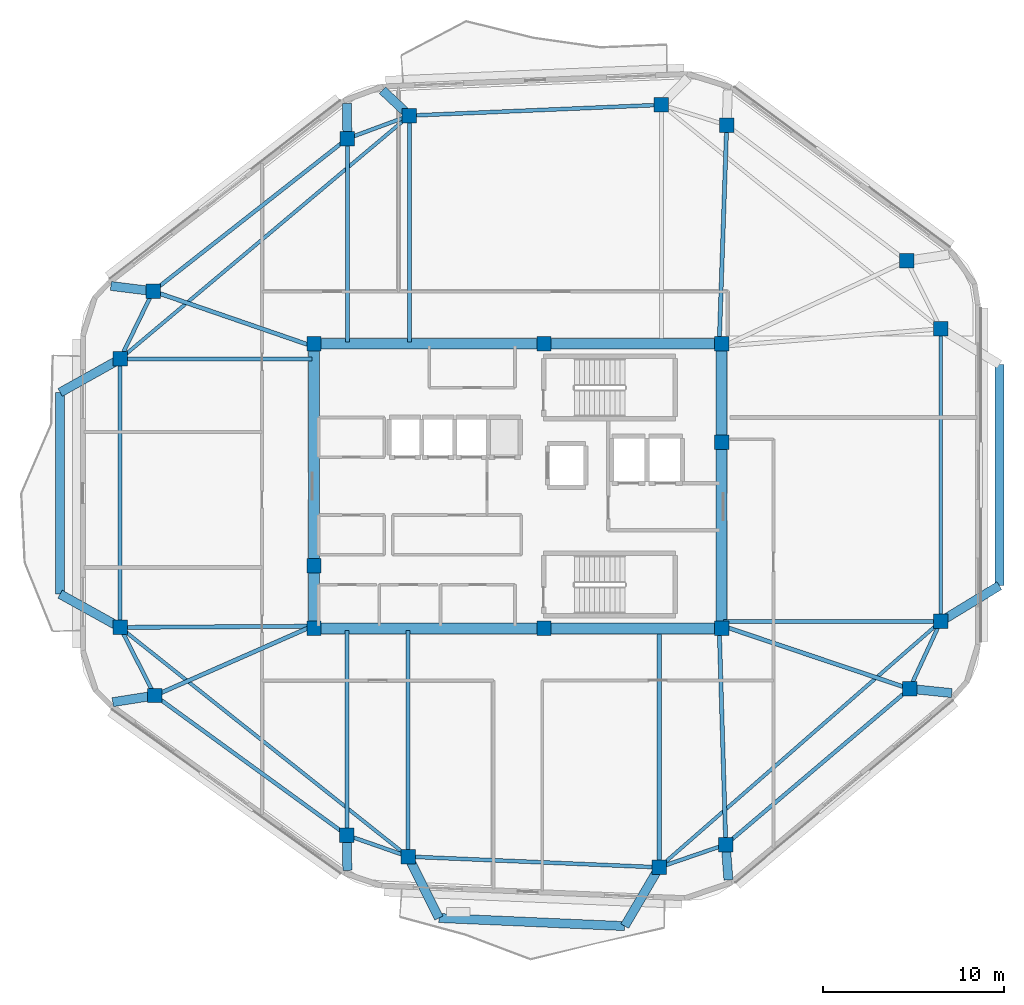
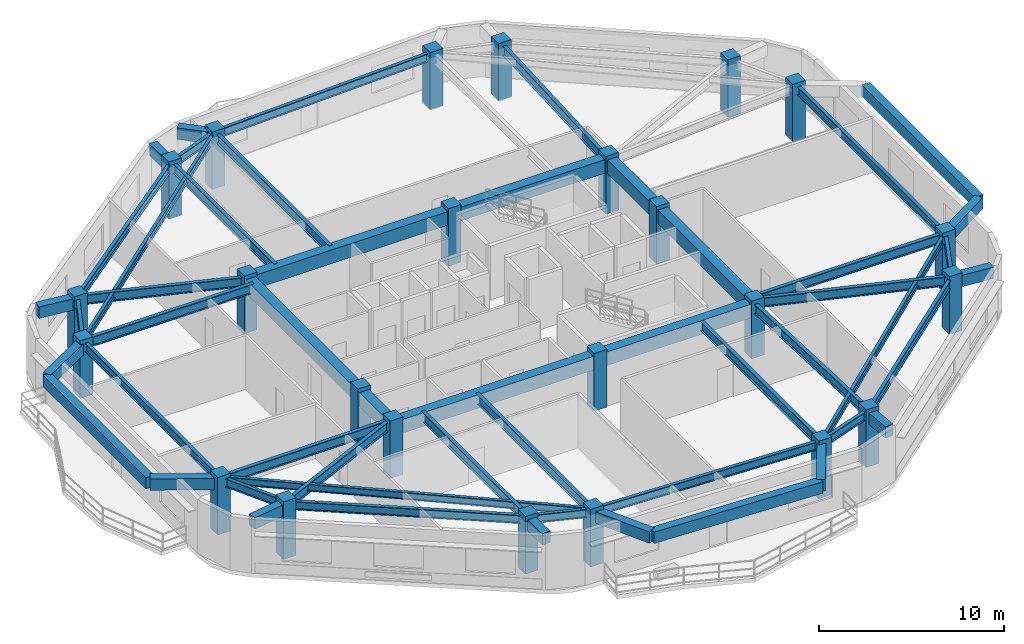
# One storey, part 1 of 10: 52 beams, 24 columns.
"""IFC4 building model written with IfcOpenShell, lengths in metres."""

from ifc_helpers import new_model, si_unit, direction, frame, origin, origin_2d, place, context, subcontext, project, spatial, rectangle, i_section, extrude, material, material_profile, profile_set, type_object, element, save


model = new_model("IFC4")

# Units and contexts
model_context = context("Model", 3, precision=1e-05, world=origin(), true_north=direction((0.0, 1.0)))
body_context = subcontext(model_context, "Body", "Model", "MODEL_VIEW")
ifc_project = project(units=[si_unit("LENGTHUNIT", "METRE"), si_unit("AREAUNIT", "SQUARE_METRE"), si_unit("VOLUMEUNIT", "CUBIC_METRE"), si_unit("PLANEANGLEUNIT", "RADIAN"), si_unit("MASSUNIT", "GRAM", prefix="KILO")], contexts=[model_context])

# Site, building, storey
site_placement = place(None, origin())
site = spatial("IfcSite", under=ifc_project, at=site_placement, CompositionType="ELEMENT")
building_placement = place(site_placement, origin())
building = spatial("IfcBuilding", under=site, at=building_placement, Name="Zulverin Broadcast Headquarters", CompositionType="ELEMENT")
storey_placement = place(building_placement, frame((0.0, 0.0, 282.0)))
storey = spatial("IfcBuildingStorey", under=building, at=storey_placement, Name="L72", CompositionType="ELEMENT", Elevation=282.0)

# Columns
ifc_material_1 = material(Name="Concrete C50/60", Category="concrete")
ifc_material_profile_1 = material_profile(ifc_material_1, rectangle(XDim=0.800048828125, YDim=0.800048828125, at=origin_2d()), Name="Concrete C50/60", Category="concrete")
ifc_profile_set_1 = profile_set([ifc_material_profile_1], Name="Concrete C50/60")
column_type_1 = type_object("IfcColumnType", Name="COL-RC-800", PredefinedType="COLUMN", material=ifc_profile_set_1)
for number, where, z_axis, x_axis, name in (
    (1, (30.93359375, 4.703125, 0.0), (0.0, 0.0, 1.0), (1.0, 0.0, 0.0), "L72 Perimeter Column T01"),
    (2, (44.826904296875, 4.1083984375, 0.0), (0.0, 0.0, 1.0), (1.0, 0.0, 0.0), "L72 Perimeter Column T02"),
    (3, (48.5078125, 5.3701171875, 0.0), (0.0, 0.0, 1.0), (1.0, 0.0, 0.0), "L72 Perimeter Column T03"),
    (4, (58.6748046875, 13.9892578125, 0.0), (0.0, 0.0, 1.0), (1.0, 0.0, 0.0), "L72 Perimeter Column T04"),
    (5, (60.39990234375, 17.713623046875, 0.0), (0.0, 0.0, 1.0), (1.0, 0.0, 0.0), "L72 Perimeter Column T05"),
    (6, (60.39990234375, 33.903076171875, 0.0), (0.0, 0.0, 1.0), (1.0, 0.0, 0.0), "L72 Perimeter Column T06"),
    (7, (58.52587890625, 37.661865234375, 0.0), (0.0, 0.0, 1.0), (1.0, 0.0, 0.0), "L72 Perimeter Column T07"),
    (8, (48.55908203125, 45.172607421875, 0.0), (0.0, 0.0, 1.0), (1.0, 0.0, 0.0), "L72 Perimeter Column T08"),
    (9, (44.944580078125, 46.296630859375, 0.0), (0.0, 0.0, 1.0), (1.0, 0.0, 0.0), "L72 Perimeter Column T09"),
    (10, (31.006591796875, 45.699951171875, 0.0), (0.0, 0.0, 1.0), (1.0, 0.0, 0.0), "L72 Perimeter Column T10"),
    (11, (27.573486328125, 44.4296875, 0.0), (0.0, 0.0, 1.0), (1.0, 0.0, 0.0), "L72 Perimeter Column T11"),
    (12, (16.82177734375, 35.98388671875, 0.0), (0.0, 0.0, 1.0), (1.0, 0.0, 0.0), "L72 Perimeter Column T12"),
    (13, (15.0, 32.236083984375, 0.0), (0.0, 0.0, 1.0), (1.0, 0.0, 0.0), "L72 Perimeter Column T13"),
    (14, (15.0, 17.383056640625, 0.0), (0.0, 0.0, 1.0), (1.0, 0.0, 0.0), "L72 Perimeter Column T14"),
    (15, (16.918212890625, 13.61572265625, 0.0), (0.0, 0.0, 1.0), (1.0, 0.0, 0.0), "L72 Perimeter Column T15"),
    (16, (27.54541015625, 5.8857421875, 0.0), (0.0, 0.0, 1.0), (1.0, 0.0, 0.0), "L72 Perimeter Column T16"),
):
    element("IfcColumn", number, at=place(storey_placement, frame(where, z_axis=z_axis, x_axis=x_axis)), inside=storey, type_object=column_type_1, Name=name, PredefinedType="COLUMN", context=body_context, shape_type="SweptSolid", body=[
        extrude(rectangle(XDim=0.800048828125, YDim=0.800048828125, at=origin_2d()), origin(), (0.0, 0.0, 1.0), 3.800048828125),
    ])
ifc_material_profile_2 = material_profile(ifc_material_1, rectangle(XDim=0.800048828125, YDim=0.800048828125, at=origin_2d()), Name="Concrete C50/60", Category="concrete")
ifc_profile_set_2 = profile_set([ifc_material_profile_2], Name="Concrete C50/60")
column_type_2 = type_object("IfcColumnType", Name="PIL-RC-800", PredefinedType="PILASTER", material=ifc_profile_set_2)
for number, where, z_axis, x_axis, name in (
    (17, (25.72509765625, 17.324951171875, 0.0), (0.0, 0.0, 1.0), (1.0, 0.0, 0.0), "L72 Core Pilaster K01"),
    (18, (38.449951171875, 17.324951171875, 0.0), (0.0, 0.0, 1.0), (1.0, 0.0, 0.0), "L72 Core Pilaster K02"),
    (19, (48.27490234375, 17.324951171875, 0.0), (0.0, 0.0, 1.0), (1.0, 0.0, 0.0), "L72 Core Pilaster K03"),
    (20, (48.27490234375, 27.6201171875, 0.0), (0.0, 0.0, 1.0), (1.0, 0.0, 0.0), "L72 Core Pilaster K04"),
    (21, (48.27490234375, 33.074951171875, 0.0), (0.0, 0.0, 1.0), (1.0, 0.0, 0.0), "L72 Core Pilaster K05"),
    (22, (38.449951171875, 33.074951171875, 0.0), (0.0, 0.0, 1.0), (1.0, 0.0, 0.0), "L72 Core Pilaster K06"),
    (23, (25.72509765625, 33.074951171875, 0.0), (0.0, 0.0, 1.0), (1.0, 0.0, 0.0), "L72 Core Pilaster K07"),
    (24, (25.72509765625, 20.800048828125, 0.0), (0.0, 0.0, 1.0), (1.0, 0.0, 0.0), "L72 Core Pilaster K08"),
):
    element("IfcColumn", number, at=place(storey_placement, frame(where, z_axis=z_axis, x_axis=x_axis)), inside=storey, type_object=column_type_2, Name=name, PredefinedType="PILASTER", context=body_context, shape_type="SweptSolid", body=[
        extrude(rectangle(XDim=0.800048828125, YDim=0.800048828125, at=origin_2d()), origin(), (0.0, 0.0, 1.0), 3.800048828125),
    ])

# Beams
ifc_material_2 = material(Name="Concrete C60/75", Category="concrete")
ifc_material_profile_3 = material_profile(ifc_material_2, rectangle(XDim=0.60009765625, YDim=0.89990234375, at=origin_2d()), Name="Concrete C60/75", Category="concrete")
ifc_profile_set_3 = profile_set([ifc_material_profile_3], Name="Concrete C60/75")
beam_type_1 = type_object("IfcBeamType", Name="BM-CB-600x900", PredefinedType="LINTEL", material=ifc_profile_set_3)
beam_1_placement = place(storey_placement, frame((25.72509765625, 17.324951171875, 3.090087890625), z_axis=(1.0, 0.0, 0.0), x_axis=(0.0, 1.0, 0.0)))
element("IfcBeam", 25, at=beam_1_placement, inside=storey, type_object=beam_type_1, Name="L72 Core Coupling Girder K01-K02", PredefinedType="LINTEL", context=body_context, shape_type="SweptSolid", body=[
    extrude(rectangle(XDim=0.60009765625, YDim=0.89990234375, at=origin_2d()), origin(), (0.0, 0.0, 1.0), 12.724853515625),
])
beam_2_placement = place(storey_placement, frame((38.449951171875, 17.324951171875, 3.090087890625), z_axis=(1.0, 0.0, 0.0), x_axis=(0.0, 1.0, 0.0)))
element("IfcBeam", 26, at=beam_2_placement, inside=storey, type_object=beam_type_1, Name="L72 Core Coupling Girder K02-K03", PredefinedType="LINTEL", context=body_context, shape_type="SweptSolid", body=[
    extrude(rectangle(XDim=0.60009765625, YDim=0.89990234375, at=origin_2d()), origin(), (0.0, 0.0, 1.0), 9.824951171875),
])
beam_3_placement = place(storey_placement, frame((48.27490234375, 17.324951171875, 3.090087890625), z_axis=(0.0, 1.0, 0.0), x_axis=(-1.0, 0.0, 0.0)))
element("IfcBeam", 27, at=beam_3_placement, inside=storey, type_object=beam_type_1, Name="L72 Core Coupling Girder K03-K04", PredefinedType="LINTEL", context=body_context, shape_type="SweptSolid", body=[
    extrude(rectangle(XDim=0.60009765625, YDim=0.89990234375, at=origin_2d()), origin(), (0.0, 0.0, 1.0), 10.295166015625),
])
beam_4_placement = place(storey_placement, frame((48.27490234375, 27.6201171875, 3.090087890625), z_axis=(0.0, 1.0, 0.0), x_axis=(-1.0, 0.0, 0.0)))
element("IfcBeam", 28, at=beam_4_placement, inside=storey, type_object=beam_type_1, Name="L72 Core Coupling Girder K04-K05", PredefinedType="LINTEL", context=body_context, shape_type="SweptSolid", body=[
    extrude(rectangle(XDim=0.60009765625, YDim=0.89990234375, at=origin_2d()), origin(), (0.0, 0.0, 1.0), 5.454833984375),
])
beam_5_placement = place(storey_placement, frame((48.27490234375, 33.074951171875, 3.090087890625), z_axis=(-1.0, 0.0, 0.0), x_axis=(0.0, -1.0, 0.0)))
element("IfcBeam", 29, at=beam_5_placement, inside=storey, type_object=beam_type_1, Name="L72 Core Coupling Girder K05-K06", PredefinedType="LINTEL", context=body_context, shape_type="SweptSolid", body=[
    extrude(rectangle(XDim=0.60009765625, YDim=0.89990234375, at=origin_2d()), origin(), (0.0, 0.0, 1.0), 9.824951171875),
])
beam_6_placement = place(storey_placement, frame((38.449951171875, 33.074951171875, 3.090087890625), z_axis=(-1.0, 0.0, 0.0), x_axis=(0.0, -1.0, 0.0)))
element("IfcBeam", 30, at=beam_6_placement, inside=storey, type_object=beam_type_1, Name="L72 Core Coupling Girder K06-K07", PredefinedType="LINTEL", context=body_context, shape_type="SweptSolid", body=[
    extrude(rectangle(XDim=0.60009765625, YDim=0.89990234375, at=origin_2d()), origin(), (0.0, 0.0, 1.0), 12.724853515625),
])
beam_7_placement = place(storey_placement, frame((25.72509765625, 33.074951171875, 3.090087890625), z_axis=(0.0, -1.0, 0.0), x_axis=(1.0, 0.0, 0.0)))
element("IfcBeam", 31, at=beam_7_placement, inside=storey, type_object=beam_type_1, Name="L72 Core Coupling Girder K07-K08", PredefinedType="LINTEL", context=body_context, shape_type="SweptSolid", body=[
    extrude(rectangle(XDim=0.60009765625, YDim=0.89990234375, at=origin_2d()), origin(), (0.0, 0.0, 1.0), 12.27490234375),
])
beam_8_placement = place(storey_placement, frame((25.72509765625, 20.800048828125, 3.090087890625), z_axis=(0.0, -1.0, 0.0), x_axis=(1.0, 0.0, 0.0)))
element("IfcBeam", 32, at=beam_8_placement, inside=storey, type_object=beam_type_1, Name="L72 Core Coupling Girder K08-K01", PredefinedType="LINTEL", context=body_context, shape_type="SweptSolid", body=[
    extrude(rectangle(XDim=0.60009765625, YDim=0.89990234375, at=origin_2d()), origin(), (0.0, 0.0, 1.0), 3.47509765625),
])
ifc_material_3 = material(Name="Concrete C40/50", Category="concrete")
ifc_material_profile_4 = material_profile(ifc_material_3, rectangle(XDim=0.5, YDim=0.75, at=origin_2d()), Name="Concrete C40/50", Category="concrete")
ifc_profile_set_4 = profile_set([ifc_material_profile_4], Name="Concrete C40/50")
beam_type_2 = type_object("IfcBeamType", Name="BM-RC-500x750", PredefinedType="BEAM", material=ifc_profile_set_4)
beam_9_placement = place(storey_placement, frame((48.5078125, 5.3701171875, 3.1650390625), z_axis=(0.074434680239, -0.997225891349, 0.0), x_axis=(0.997225891349, 0.074434680239, 0.0)))
element("IfcBeam", 33, at=beam_9_placement, inside=storey, type_object=beam_type_2, Name="L73 Plate Overhang Back-Spanned Beam OVR-03", PredefinedType="BEAM", context=body_context, shape_type="SweptSolid", body=[
    extrude(rectangle(XDim=0.5, YDim=0.75, at=origin_2d()), origin(), (0.0, 0.0, 1.0), 1.964599609375),
])
beam_10_placement = place(storey_placement, frame((58.6748046875, 13.9892578125, 3.1650390625), z_axis=(0.994775761489, -0.10208420227, 0.0), x_axis=(0.10208420227, 0.994775761489, 0.0)))
element("IfcBeam", 34, at=beam_10_placement, inside=storey, type_object=beam_type_2, Name="L73 Plate Overhang Back-Spanned Beam OVR-04", PredefinedType="BEAM", context=body_context, shape_type="SweptSolid", body=[
    extrude(rectangle(XDim=0.5, YDim=0.75, at=origin_2d()), origin(), (0.0, 0.0, 1.0), 2.350830078125),
])
beam_11_placement = place(storey_placement, frame((31.006591796875, 45.699951171875, 3.1650390625), z_axis=(-0.729406997905, 0.684079989041, 0.0), x_axis=(-0.684079989041, -0.729406997905, 0.0)))
element("IfcBeam", 35, at=beam_11_placement, inside=storey, type_object=beam_type_2, Name="L73 Plate Overhang Back-Spanned Beam OVR-10", PredefinedType="BEAM", context=body_context, shape_type="SweptSolid", body=[
    extrude(rectangle(XDim=0.5, YDim=0.75, at=origin_2d()), origin(), (0.0, 0.0, 1.0), 2.046875),
])
beam_12_placement = place(storey_placement, frame((27.573486328125, 44.4296875, 3.1650390625), z_axis=(-0.015261577794, 0.99988353534, 0.0), x_axis=(-0.99988353534, -0.015261577794, 0.0)))
element("IfcBeam", 36, at=beam_12_placement, inside=storey, type_object=beam_type_2, Name="L73 Plate Overhang Back-Spanned Beam OVR-11", PredefinedType="BEAM", context=body_context, shape_type="SweptSolid", body=[
    extrude(rectangle(XDim=0.5, YDim=0.75, at=origin_2d()), origin(), (0.0, 0.0, 1.0), 1.95166015625),
])
beam_13_placement = place(storey_placement, frame((16.82177734375, 35.98388671875, 3.1650390625), z_axis=(-0.992249101717, 0.124264718012, 0.0), x_axis=(-0.124264718012, -0.992249101717, 0.0)))
element("IfcBeam", 37, at=beam_13_placement, inside=storey, type_object=beam_type_2, Name="L73 Plate Overhang Back-Spanned Beam OVR-12", PredefinedType="BEAM", context=body_context, shape_type="SweptSolid", body=[
    extrude(rectangle(XDim=0.5, YDim=0.75, at=origin_2d()), origin(), (0.0, 0.0, 1.0), 2.351806640625),
])
beam_14_placement = place(storey_placement, frame((16.918212890625, 13.61572265625, 3.1650390625), z_axis=(-0.987723457787, -0.156212582521, 0.0), x_axis=(0.156212582521, -0.987723457787, 0.0)))
element("IfcBeam", 38, at=beam_14_placement, inside=storey, type_object=beam_type_2, Name="L73 Plate Overhang Back-Spanned Beam OVR-15", PredefinedType="BEAM", context=body_context, shape_type="SweptSolid", body=[
    extrude(rectangle(XDim=0.5, YDim=0.75, at=origin_2d()), origin(), (0.0, 0.0, 1.0), 2.35693359375),
])
beam_15_placement = place(storey_placement, frame((27.54541015625, 5.8857421875, 3.1650390625), z_axis=(0.012082189143, -0.999927007689, 0.0), x_axis=(0.999927007689, 0.012082189143, 0.0)))
element("IfcBeam", 39, at=beam_15_placement, inside=storey, type_object=beam_type_2, Name="L73 Plate Overhang Back-Spanned Beam OVR-16", PredefinedType="BEAM", context=body_context, shape_type="SweptSolid", body=[
    extrude(rectangle(XDim=0.5, YDim=0.75, at=origin_2d()), origin(), (0.0, 0.0, 1.0), 1.93994140625),
])
beam_16_placement = place(storey_placement, frame((60.39990234375, 17.713623046875, 3.1650390625), z_axis=(0.853361233194, 0.521320060694, 0.0), x_axis=(-0.521320060694, 0.853361233194, 0.0)))
element("IfcBeam", 40, at=beam_16_placement, inside=storey, type_object=beam_type_2, Name="L73 Balcony Column-Framed Cantilever BAL_E-1", PredefinedType="BEAM", context=body_context, shape_type="SweptSolid", body=[
    extrude(rectangle(XDim=0.5, YDim=0.75, at=origin_2d()), origin(), (0.0, 0.0, 1.0), 3.7998046875),
])
beam_17_placement = place(storey_placement, frame((63.642578125, 19.694580078125, 3.1650390625), z_axis=(0.000757802156, 0.999999712868, 0.0), x_axis=(-0.999999712868, 0.000757802156, 0.0)))
element("IfcBeam", 41, at=beam_17_placement, inside=storey, type_object=beam_type_2, Name="L73 Balcony Outer Edge Trimmer Beam BAL_E", PredefinedType="BEAM", context=body_context, shape_type="SweptSolid", body=[
    extrude(rectangle(XDim=0.5, YDim=0.75, at=origin_2d()), origin(), (0.0, 0.0, 1.0), 12.242431640625),
])
beam_18_placement = place(storey_placement, frame((30.93359375, 4.703125, 3.1650390625), z_axis=(0.448138545503, -0.893964117868, 0.0), x_axis=(0.893964117868, 0.448138545503, 0.0)))
element("IfcBeam", 42, at=beam_18_placement, inside=storey, type_object=beam_type_2, Name="L73 Balcony Column-Framed Cantilever BAL_S-1", PredefinedType="BEAM", context=body_context, shape_type="SweptSolid", body=[
    extrude(rectangle(XDim=0.5, YDim=0.75, at=origin_2d()), origin(), (0.0, 0.0, 1.0), 3.7998046875),
])
beam_19_placement = place(storey_placement, frame((44.826904296875, 4.1083984375, 3.1650390625), z_axis=(-0.506955055331, -0.861972489047, 0.0), x_axis=(0.861972489047, -0.506955055331, 0.0)))
element("IfcBeam", 43, at=beam_19_placement, inside=storey, type_object=beam_type_2, Name="L73 Balcony Column-Framed Cantilever BAL_S-2", PredefinedType="BEAM", context=body_context, shape_type="SweptSolid", body=[
    extrude(rectangle(XDim=0.5, YDim=0.75, at=origin_2d()), origin(), (0.0, 0.0, 1.0), 3.771240234375),
])
beam_20_placement = place(storey_placement, frame((32.636474609375, 1.30615234375, 3.1650390625), z_axis=(0.999049430425, -0.043591691496, 0.0), x_axis=(0.043591691496, 0.999049430425, 0.0)))
element("IfcBeam", 44, at=beam_20_placement, inside=storey, type_object=beam_type_2, Name="L73 Balcony Outer Edge Trimmer Beam BAL_S", PredefinedType="BEAM", context=body_context, shape_type="SweptSolid", body=[
    extrude(rectangle(XDim=0.5, YDim=0.75, at=origin_2d()), origin(), (0.0, 0.0, 1.0), 10.288330078125),
])
for number, where, z_axis, x_axis, name in (
    (45, (15.0, 32.236083984375, 3.1650390625), (-0.873048873834, -0.487632714137, 0.0), (0.487632714137, -0.873048873834, 0.0), "L73 Balcony Column-Framed Cantilever BAL_W-1"),
    (46, (15.0, 17.383056640625, 3.1650390625), (-0.874614506894, 0.484819001618, 0.0), (-0.484819001618, -0.874614506894, 0.0), "L73 Balcony Column-Framed Cantilever BAL_W-2"),
):
    element("IfcBeam", number, at=place(storey_placement, frame(where, z_axis=z_axis, x_axis=x_axis)), inside=storey, type_object=beam_type_2, Name=name, PredefinedType="BEAM", context=body_context, shape_type="SweptSolid", body=[
        extrude(rectangle(XDim=0.5, YDim=0.75, at=origin_2d()), origin(), (0.0, 0.0, 1.0), 3.800048828125),
    ])
beam_21_placement = place(storey_placement, frame((11.682373046875, 30.383056640625, 3.1650390625), z_axis=(-0.000525141059, -0.999999862113, 0.0), x_axis=(0.999999862113, -0.000525141059, 0.0)))
element("IfcBeam", 47, at=beam_21_placement, inside=storey, type_object=beam_type_2, Name="L73 Balcony Outer Edge Trimmer Beam BAL_W", PredefinedType="BEAM", context=body_context, shape_type="SweptSolid", body=[
    extrude(rectangle(XDim=0.5, YDim=0.75, at=origin_2d()), origin(), (0.0, 0.0, 1.0), 11.15771484375),
])
ifc_material_4 = material(Name="Structural steel S355JR", Category="steel")
ifc_material_profile_5 = material_profile(ifc_material_4, i_section(OverallWidth=0.19287109375, OverallDepth=0.46728515625, WebThickness=0.011474609375, FlangeThickness=0.01953125, at=origin_2d()), Name="Structural steel S355JR", Category="steel")
ifc_profile_set_5 = profile_set([ifc_material_profile_5], Name="Structural steel S355JR")
beam_type_3 = type_object("IfcBeamType", Name="BM-UB-457", PredefinedType="JOIST", material=ifc_profile_set_5)
beam_22_placement = place(storey_placement, frame((44.826904296875, 4.1083984375, 3.306396484375), z_axis=(0.753083303383, 0.657925176723, 0.0), x_axis=(-0.657925176723, 0.753083303383, 0.0)))
element("IfcBeam", 48, at=beam_22_placement, inside=storey, type_object=beam_type_3, Name="L72 Chordal Floor Joist J-01", PredefinedType="JOIST", context=body_context, shape_type="SweptSolid", body=[
    extrude(i_section(OverallWidth=0.19287109375, OverallDepth=0.46728515625, WebThickness=0.011474609375, FlangeThickness=0.01953125, at=origin_2d()), origin(), (0.0, 0.0, 1.0), 20.678955078125),
])
beam_23_placement = place(storey_placement, frame((31.006591796875, 45.699951171875, 3.306396484375), z_axis=(-0.765273089862, -0.643705754156, 0.0), x_axis=(0.643705754156, -0.765273089862, 0.0)))
element("IfcBeam", 49, at=beam_23_placement, inside=storey, type_object=beam_type_3, Name="L72 Chordal Floor Joist J-03", PredefinedType="JOIST", context=body_context, shape_type="SweptSolid", body=[
    extrude(i_section(OverallWidth=0.19287109375, OverallDepth=0.46728515625, WebThickness=0.011474609375, FlangeThickness=0.01953125, at=origin_2d()), origin(), (0.0, 0.0, 1.0), 20.916259765625),
])
beam_24_placement = place(storey_placement, frame((15.0, 17.383056640625, 3.306396484375), z_axis=(0.782469878912, -0.622688436214, 0.0), x_axis=(0.622688436214, 0.782469878912, 0.0)))
element("IfcBeam", 50, at=beam_24_placement, inside=storey, type_object=beam_type_3, Name="L72 Chordal Floor Joist J-04", PredefinedType="JOIST", context=body_context, shape_type="SweptSolid", body=[
    extrude(i_section(OverallWidth=0.19287109375, OverallDepth=0.46728515625, WebThickness=0.011474609375, FlangeThickness=0.01953125, at=origin_2d()), origin(), (0.0, 0.0, 1.0), 20.36328125),
])
ifc_material_profile_6 = material_profile(ifc_material_4, i_section(OverallWidth=0.2119140625, OverallDepth=0.54443359375, WebThickness=0.0126953125, FlangeThickness=0.021240234375, at=origin_2d()), Name="Structural steel S355JR", Category="steel")
ifc_profile_set_6 = profile_set([ifc_material_profile_6], Name="Structural steel S355JR")
beam_type_4 = type_object("IfcBeamType", Name="BM-UB-533", PredefinedType="SPANDREL", material=ifc_profile_set_6)
beam_25_placement = place(storey_placement, frame((30.93359375, 4.703125, 3.267822265625), z_axis=(0.999085051108, -0.042767518662, 0.0), x_axis=(0.042767518662, 0.999085051108, 0.0)))
element("IfcBeam", 51, at=beam_25_placement, inside=storey, type_object=beam_type_4, Name="L72 Perimeter Spandrel Beam SP-01", PredefinedType="SPANDREL", context=body_context, shape_type="SweptSolid", body=[
    extrude(i_section(OverallWidth=0.2119140625, OverallDepth=0.54443359375, WebThickness=0.0126953125, FlangeThickness=0.021240234375, at=origin_2d()), origin(), (0.0, 0.0, 1.0), 13.906005859375),
])
beam_26_placement = place(storey_placement, frame((44.826904296875, 4.1083984375, 3.267822265625), z_axis=(0.945970142065, 0.324253743728, 0.0), x_axis=(-0.324253743728, 0.945970142065, 0.0)))
element("IfcBeam", 52, at=beam_26_placement, inside=storey, type_object=beam_type_4, Name="L72 Perimeter Spandrel Beam SP-02", PredefinedType="SPANDREL", context=body_context, shape_type="SweptSolid", body=[
    extrude(i_section(OverallWidth=0.2119140625, OverallDepth=0.54443359375, WebThickness=0.0126953125, FlangeThickness=0.021240234375, at=origin_2d()), origin(), (0.0, 0.0, 1.0), 3.89111328125),
])
beam_27_placement = place(storey_placement, frame((48.5078125, 5.3701171875, 3.267822265625), z_axis=(0.762782889345, 0.646654671152, 0.0), x_axis=(-0.646654671152, 0.762782889345, 0.0)))
element("IfcBeam", 53, at=beam_27_placement, inside=storey, type_object=beam_type_4, Name="L72 Perimeter Spandrel Beam SP-03", PredefinedType="SPANDREL", context=body_context, shape_type="SweptSolid", body=[
    extrude(i_section(OverallWidth=0.2119140625, OverallDepth=0.54443359375, WebThickness=0.0126953125, FlangeThickness=0.021240234375, at=origin_2d()), origin(), (0.0, 0.0, 1.0), 13.328857421875),
])
beam_28_placement = place(storey_placement, frame((58.6748046875, 13.9892578125, 3.267822265625), z_axis=(0.420294999852, 0.907387520908, 0.0), x_axis=(-0.907387520908, 0.420294999852, 0.0)))
element("IfcBeam", 54, at=beam_28_placement, inside=storey, type_object=beam_type_4, Name="L72 Perimeter Spandrel Beam SP-04", PredefinedType="SPANDREL", context=body_context, shape_type="SweptSolid", body=[
    extrude(i_section(OverallWidth=0.2119140625, OverallDepth=0.54443359375, WebThickness=0.0126953125, FlangeThickness=0.021240234375, at=origin_2d()), origin(), (0.0, 0.0, 1.0), 4.1044921875),
])
beam_29_placement = place(storey_placement, frame((60.39990234375, 17.713623046875, 3.267822265625), z_axis=(0.0, 1.0, 0.0), x_axis=(-1.0, 0.0, 0.0)))
element("IfcBeam", 55, at=beam_29_placement, inside=storey, type_object=beam_type_4, Name="L72 Perimeter Spandrel Beam SP-05", PredefinedType="SPANDREL", context=body_context, shape_type="SweptSolid", body=[
    extrude(i_section(OverallWidth=0.2119140625, OverallDepth=0.54443359375, WebThickness=0.0126953125, FlangeThickness=0.021240234375, at=origin_2d()), origin(), (0.0, 0.0, 1.0), 16.189453125),
])
beam_30_placement = place(storey_placement, frame((44.944580078125, 46.296630859375, 3.267822265625), z_axis=(-0.999084926695, -0.042770424958, 0.0), x_axis=(0.042770424958, -0.999084926695, 0.0)))
element("IfcBeam", 56, at=beam_30_placement, inside=storey, type_object=beam_type_4, Name="L72 Perimeter Spandrel Beam SP-09", PredefinedType="SPANDREL", context=body_context, shape_type="SweptSolid", body=[
    extrude(i_section(OverallWidth=0.2119140625, OverallDepth=0.54443359375, WebThickness=0.0126953125, FlangeThickness=0.021240234375, at=origin_2d()), origin(), (0.0, 0.0, 1.0), 13.95068359375),
])
beam_31_placement = place(storey_placement, frame((31.006591796875, 45.699951171875, 3.267822265625), z_axis=(-0.937860540342, -0.347012401607, 0.0), x_axis=(0.347012401607, -0.937860540342, 0.0)))
element("IfcBeam", 57, at=beam_31_placement, inside=storey, type_object=beam_type_4, Name="L72 Perimeter Spandrel Beam SP-10", PredefinedType="SPANDREL", context=body_context, shape_type="SweptSolid", body=[
    extrude(i_section(OverallWidth=0.2119140625, OverallDepth=0.54443359375, WebThickness=0.0126953125, FlangeThickness=0.021240234375, at=origin_2d()), origin(), (0.0, 0.0, 1.0), 3.66064453125),
])
beam_32_placement = place(storey_placement, frame((27.573486328125, 44.4296875, 3.267822265625), z_axis=(-0.786388352061, -0.617732433779, 0.0), x_axis=(0.617732433779, -0.786388352061, 0.0)))
element("IfcBeam", 58, at=beam_32_placement, inside=storey, type_object=beam_type_4, Name="L72 Perimeter Spandrel Beam SP-11", PredefinedType="SPANDREL", context=body_context, shape_type="SweptSolid", body=[
    extrude(i_section(OverallWidth=0.2119140625, OverallDepth=0.54443359375, WebThickness=0.0126953125, FlangeThickness=0.021240234375, at=origin_2d()), origin(), (0.0, 0.0, 1.0), 13.67236328125),
])
beam_33_placement = place(storey_placement, frame((16.82177734375, 35.98388671875, 3.267822265625), z_axis=(-0.437178884994, -0.899374572976, 0.0), x_axis=(0.899374572976, -0.437178884994, 0.0)))
element("IfcBeam", 59, at=beam_33_placement, inside=storey, type_object=beam_type_4, Name="L72 Perimeter Spandrel Beam SP-12", PredefinedType="SPANDREL", context=body_context, shape_type="SweptSolid", body=[
    extrude(i_section(OverallWidth=0.2119140625, OverallDepth=0.54443359375, WebThickness=0.0126953125, FlangeThickness=0.021240234375, at=origin_2d()), origin(), (0.0, 0.0, 1.0), 4.167236328125),
])
beam_34_placement = place(storey_placement, frame((15.0, 32.236083984375, 3.267822265625), z_axis=(0.0, -1.0, 0.0), x_axis=(1.0, 0.0, 0.0)))
element("IfcBeam", 60, at=beam_34_placement, inside=storey, type_object=beam_type_4, Name="L72 Perimeter Spandrel Beam SP-13", PredefinedType="SPANDREL", context=body_context, shape_type="SweptSolid", body=[
    extrude(i_section(OverallWidth=0.2119140625, OverallDepth=0.54443359375, WebThickness=0.0126953125, FlangeThickness=0.021240234375, at=origin_2d()), origin(), (0.0, 0.0, 1.0), 14.85302734375),
])
beam_35_placement = place(storey_placement, frame((15.0, 17.383056640625, 3.267822265625), z_axis=(0.453738909408, -0.89113467113, 0.0), x_axis=(0.89113467113, 0.453738909408, 0.0)))
element("IfcBeam", 61, at=beam_35_placement, inside=storey, type_object=beam_type_4, Name="L72 Perimeter Spandrel Beam SP-14", PredefinedType="SPANDREL", context=body_context, shape_type="SweptSolid", body=[
    extrude(i_section(OverallWidth=0.2119140625, OverallDepth=0.54443359375, WebThickness=0.0126953125, FlangeThickness=0.021240234375, at=origin_2d()), origin(), (0.0, 0.0, 1.0), 4.2275390625),
])
beam_36_placement = place(storey_placement, frame((16.918212890625, 13.61572265625, 3.267822265625), z_axis=(0.808695913066, -0.588226929162, 0.0), x_axis=(0.588226929162, 0.808695913066, 0.0)))
element("IfcBeam", 62, at=beam_36_placement, inside=storey, type_object=beam_type_4, Name="L72 Perimeter Spandrel Beam SP-15", PredefinedType="SPANDREL", context=body_context, shape_type="SweptSolid", body=[
    extrude(i_section(OverallWidth=0.2119140625, OverallDepth=0.54443359375, WebThickness=0.0126953125, FlangeThickness=0.021240234375, at=origin_2d()), origin(), (0.0, 0.0, 1.0), 13.14111328125),
])
beam_37_placement = place(storey_placement, frame((27.54541015625, 5.8857421875, 3.267822265625), z_axis=(0.944140138036, -0.329544230339, 0.0), x_axis=(0.329544230339, 0.944140138036, 0.0)))
element("IfcBeam", 63, at=beam_37_placement, inside=storey, type_object=beam_type_4, Name="L72 Perimeter Spandrel Beam SP-16", PredefinedType="SPANDREL", context=body_context, shape_type="SweptSolid", body=[
    extrude(i_section(OverallWidth=0.2119140625, OverallDepth=0.54443359375, WebThickness=0.0126953125, FlangeThickness=0.021240234375, at=origin_2d()), origin(), (0.0, 0.0, 1.0), 3.588623046875),
])
ifc_material_profile_7 = material_profile(ifc_material_4, i_section(OverallWidth=0.230224609375, OverallDepth=0.6171875, WebThickness=0.01318359375, FlangeThickness=0.022216796875, at=origin_2d()), Name="Structural steel S355JR", Category="steel")
ifc_profile_set_7 = profile_set([ifc_material_profile_7], Name="Structural steel S355JR")
beam_type_5 = type_object("IfcBeamType", Name="BM-UB-610", PredefinedType="BEAM", material=ifc_profile_set_7)
beam_38_placement = place(storey_placement, frame((30.93359375, 17.22509765625, 3.2314453125), z_axis=(0.0, -1.0, 0.0), x_axis=(1.0, 0.0, 0.0)))
element("IfcBeam", 64, at=beam_38_placement, inside=storey, type_object=beam_type_5, Name="L72 Radial Primary Floor Beam RB-01", PredefinedType="BEAM", context=body_context, shape_type="SweptSolid", body=[
    extrude(i_section(OverallWidth=0.230224609375, OverallDepth=0.6171875, WebThickness=0.01318359375, FlangeThickness=0.022216796875, at=origin_2d()), origin(), (0.0, 0.0, 1.0), 12.52197265625),
])
beam_39_placement = place(storey_placement, frame((44.826904296875, 17.22509765625, 3.2314453125), z_axis=(0.0, -1.0, 0.0), x_axis=(1.0, 0.0, 0.0)))
element("IfcBeam", 65, at=beam_39_placement, inside=storey, type_object=beam_type_5, Name="L72 Radial Primary Floor Beam RB-02", PredefinedType="BEAM", context=body_context, shape_type="SweptSolid", body=[
    extrude(i_section(OverallWidth=0.230224609375, OverallDepth=0.6171875, WebThickness=0.01318359375, FlangeThickness=0.022216796875, at=origin_2d()), origin(), (0.0, 0.0, 1.0), 13.11669921875),
])
beam_40_placement = place(storey_placement, frame((48.14990234375, 17.22509765625, 3.2314453125), z_axis=(0.030176950096, -0.999544572134, 0.0), x_axis=(0.999544572134, 0.030176950096, 0.0)))
element("IfcBeam", 66, at=beam_40_placement, inside=storey, type_object=beam_type_5, Name="L72 Radial Primary Floor Beam RB-03", PredefinedType="BEAM", context=body_context, shape_type="SweptSolid", body=[
    extrude(i_section(OverallWidth=0.230224609375, OverallDepth=0.6171875, WebThickness=0.01318359375, FlangeThickness=0.022216796875, at=origin_2d()), origin(), (0.0, 0.0, 1.0), 11.8603515625),
])
beam_41_placement = place(storey_placement, frame((48.375, 17.449951171875, 3.2314453125), z_axis=(0.947923372096, -0.318498478228, 0.0), x_axis=(0.318498478228, 0.947923372096, 0.0)))
element("IfcBeam", 67, at=beam_41_placement, inside=storey, type_object=beam_type_5, Name="L72 Radial Primary Floor Beam RB-04", PredefinedType="BEAM", context=body_context, shape_type="SweptSolid", body=[
    extrude(i_section(OverallWidth=0.230224609375, OverallDepth=0.6171875, WebThickness=0.01318359375, FlangeThickness=0.022216796875, at=origin_2d()), origin(), (0.0, 0.0, 1.0), 10.86572265625),
])
beam_42_placement = place(storey_placement, frame((48.375, 17.713623046875, 3.2314453125), z_axis=(1.0, 0.0, 0.0), x_axis=(0.0, 1.0, 0.0)))
element("IfcBeam", 68, at=beam_42_placement, inside=storey, type_object=beam_type_5, Name="L72 Radial Primary Floor Beam RB-05", PredefinedType="BEAM", context=body_context, shape_type="SweptSolid", body=[
    extrude(i_section(OverallWidth=0.230224609375, OverallDepth=0.6171875, WebThickness=0.01318359375, FlangeThickness=0.022216796875, at=origin_2d()), origin(), (0.0, 0.0, 1.0), 12.02490234375),
])
beam_43_placement = place(storey_placement, frame((48.14990234375, 33.175048828125, 3.2314453125), z_axis=(0.034085428247, 0.999418922965, 0.0), x_axis=(-0.999418922965, 0.034085428247, 0.0)))
element("IfcBeam", 69, at=beam_43_placement, inside=storey, type_object=beam_type_5, Name="L72 Radial Primary Floor Beam RB-08", PredefinedType="BEAM", context=body_context, shape_type="SweptSolid", body=[
    extrude(i_section(OverallWidth=0.230224609375, OverallDepth=0.6171875, WebThickness=0.01318359375, FlangeThickness=0.022216796875, at=origin_2d()), origin(), (0.0, 0.0, 1.0), 12.004638671875),
])
beam_44_placement = place(storey_placement, frame((31.006591796875, 33.175048828125, 3.2314453125), z_axis=(0.0, 1.0, 0.0), x_axis=(-1.0, 0.0, 0.0)))
element("IfcBeam", 70, at=beam_44_placement, inside=storey, type_object=beam_type_5, Name="L72 Radial Primary Floor Beam RB-10", PredefinedType="BEAM", context=body_context, shape_type="SweptSolid", body=[
    extrude(i_section(OverallWidth=0.230224609375, OverallDepth=0.6171875, WebThickness=0.01318359375, FlangeThickness=0.022216796875, at=origin_2d()), origin(), (0.0, 0.0, 1.0), 12.52490234375),
])
beam_45_placement = place(storey_placement, frame((27.573486328125, 33.175048828125, 3.2314453125), z_axis=(0.0, 1.0, 0.0), x_axis=(-1.0, 0.0, 0.0)))
element("IfcBeam", 71, at=beam_45_placement, inside=storey, type_object=beam_type_5, Name="L72 Radial Primary Floor Beam RB-11", PredefinedType="BEAM", context=body_context, shape_type="SweptSolid", body=[
    extrude(i_section(OverallWidth=0.230224609375, OverallDepth=0.6171875, WebThickness=0.01318359375, FlangeThickness=0.022216796875, at=origin_2d()), origin(), (0.0, 0.0, 1.0), 11.254638671875),
])
beam_46_placement = place(storey_placement, frame((25.625, 32.949951171875, 3.2314453125), z_axis=(-0.945427859505, 0.325831493984, 0.0), x_axis=(-0.325831493984, -0.945427859505, 0.0)))
element("IfcBeam", 72, at=beam_46_placement, inside=storey, type_object=beam_type_5, Name="L72 Radial Primary Floor Beam RB-12", PredefinedType="BEAM", context=body_context, shape_type="SweptSolid", body=[
    extrude(i_section(OverallWidth=0.230224609375, OverallDepth=0.6171875, WebThickness=0.01318359375, FlangeThickness=0.022216796875, at=origin_2d()), origin(), (0.0, 0.0, 1.0), 9.311279296875),
])
beam_47_placement = place(storey_placement, frame((25.625, 32.236083984375, 3.2314453125), z_axis=(-1.0, 0.0, 0.0), x_axis=(0.0, -1.0, 0.0)))
element("IfcBeam", 73, at=beam_47_placement, inside=storey, type_object=beam_type_5, Name="L72 Radial Primary Floor Beam RB-13", PredefinedType="BEAM", context=body_context, shape_type="SweptSolid", body=[
    extrude(i_section(OverallWidth=0.230224609375, OverallDepth=0.6171875, WebThickness=0.01318359375, FlangeThickness=0.022216796875, at=origin_2d()), origin(), (0.0, 0.0, 1.0), 10.625),
])
beam_48_placement = place(storey_placement, frame((25.625, 17.449951171875, 3.2314453125), z_axis=(-0.999980181059, -0.006295831103, 0.0), x_axis=(0.006295831103, -0.999980181059, 0.0)))
element("IfcBeam", 74, at=beam_48_placement, inside=storey, type_object=beam_type_5, Name="L72 Radial Primary Floor Beam RB-14", PredefinedType="BEAM", context=body_context, shape_type="SweptSolid", body=[
    extrude(i_section(OverallWidth=0.230224609375, OverallDepth=0.6171875, WebThickness=0.01318359375, FlangeThickness=0.022216796875, at=origin_2d()), origin(), (0.0, 0.0, 1.0), 10.625244140625),
])
beam_49_placement = place(storey_placement, frame((25.625, 17.449951171875, 3.2314453125), z_axis=(-0.915189360301, -0.403024111924, 0.0), x_axis=(0.403024111924, -0.915189360301, 0.0)))
element("IfcBeam", 75, at=beam_49_placement, inside=storey, type_object=beam_type_5, Name="L72 Radial Primary Floor Beam RB-15", PredefinedType="BEAM", context=body_context, shape_type="SweptSolid", body=[
    extrude(i_section(OverallWidth=0.230224609375, OverallDepth=0.6171875, WebThickness=0.01318359375, FlangeThickness=0.022216796875, at=origin_2d()), origin(), (0.0, 0.0, 1.0), 9.513671875),
])
beam_50_placement = place(storey_placement, frame((27.54541015625, 17.22509765625, 3.2314453125), z_axis=(0.0, -1.0, 0.0), x_axis=(1.0, 0.0, 0.0)))
element("IfcBeam", 76, at=beam_50_placement, inside=storey, type_object=beam_type_5, Name="L72 Radial Primary Floor Beam RB-16", PredefinedType="BEAM", context=body_context, shape_type="SweptSolid", body=[
    extrude(i_section(OverallWidth=0.230224609375, OverallDepth=0.6171875, WebThickness=0.01318359375, FlangeThickness=0.022216796875, at=origin_2d()), origin(), (0.0, 0.0, 1.0), 11.33935546875),
])

save(model, "model.ifc")
